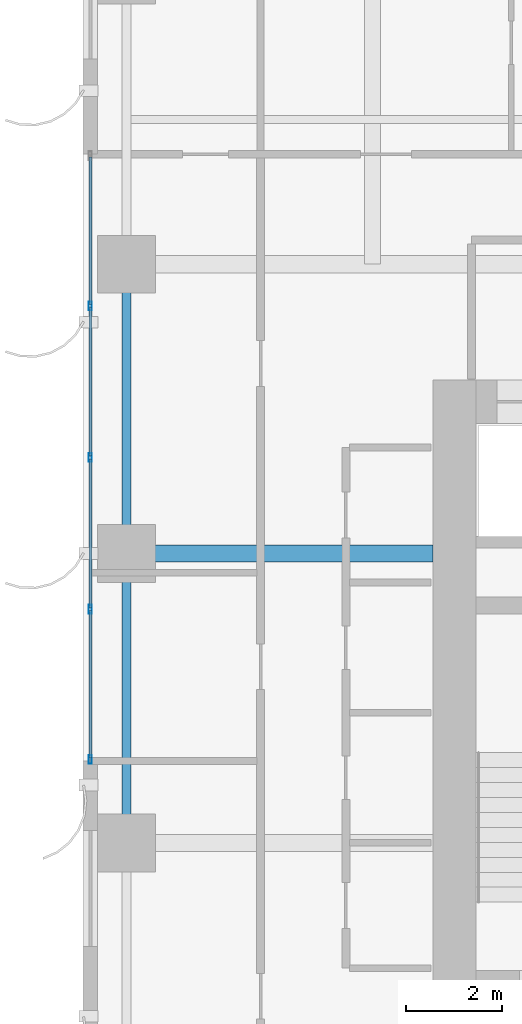
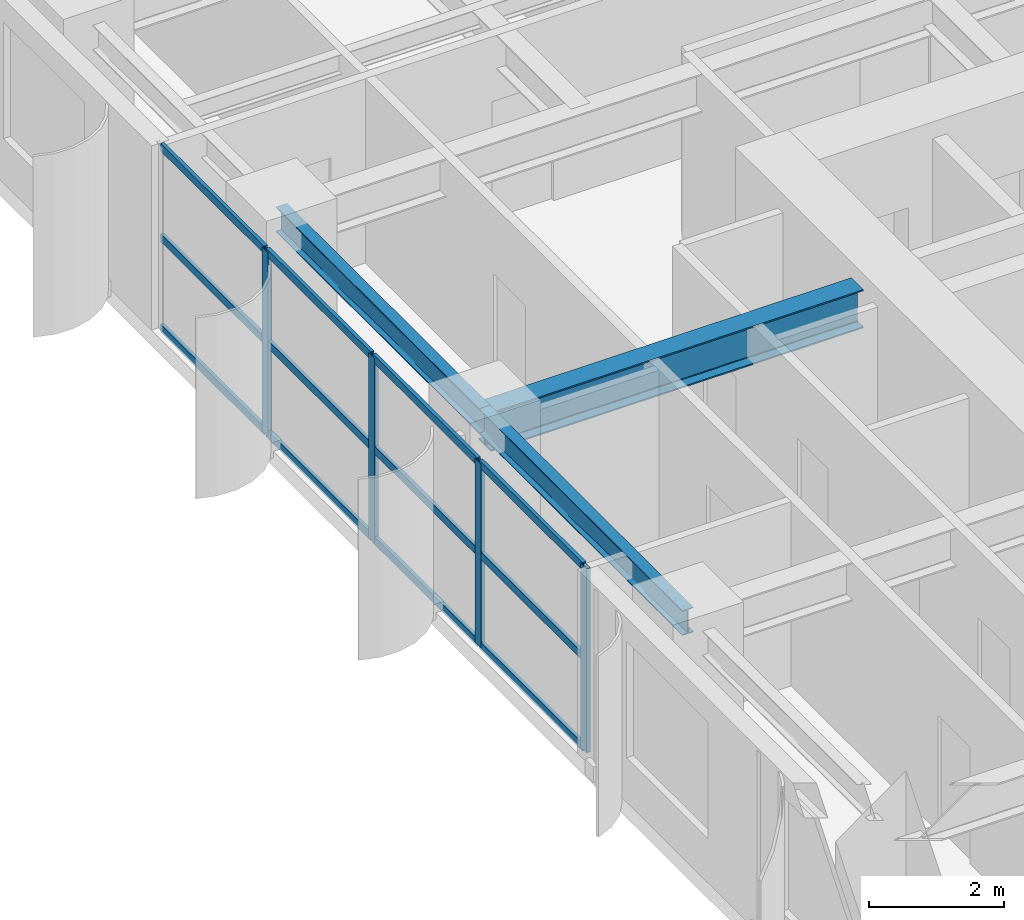
# One storey, part 2 of 17: 16 members, 3 beams, 1 element without a shape of its own.
"""IFC4 building model written with IfcOpenShell, lengths in metres."""

import ifcopenshell
import ifcopenshell.guid

model = None  # the IFC model being written
_history = None  # IfcOwnerHistory: only IFC2X3 demands one
_inside = {}  # id of a spatial element -> (the spatial element, [elements in it])
_under = {}  # id of a project, library or spatial element -> (it, [spatial elements below it])
_declared = {}  # id of a project -> (the project, [libraries it declares])
_typed = {}  # id of a type object -> (the type object, [elements of that type])
_made_of = {}  # id of a material, layer set ... -> (it, [elements and type objects made of it])


def new_model(schema):
    """Start an empty IFC model of exactly this schema.

    Asked for "IFC4X3", IfcOpenShell would pick the latest addendum, in which some entities
    have other attributes; the version numbers below select the first issue.
    IFC2X3 requires an IfcOwnerHistory on every rooted entity: one is made here for all.
    """
    global model, _history
    if schema == "IFC4X3":
        model = ifcopenshell.file(schema_version=(4, 3, 0, 0))
    else:
        model = ifcopenshell.file(schema=schema)
    _inside.clear()
    _under.clear()
    _declared.clear()
    _typed.clear()
    _made_of.clear()
    _history = None
    if model.schema == "IFC2X3":
        org = make("IfcOrganization", Name="unknown")
        user = make(
            "IfcPersonAndOrganization",
            ThePerson=make("IfcPerson", FamilyName="unknown"),
            TheOrganization=org,
        )
        app = make(
            "IfcApplication",
            ApplicationDeveloper=org,
            Version="unknown",
            ApplicationFullName="unknown",
            ApplicationIdentifier="unknown",
        )
        _history = make(
            "IfcOwnerHistory",
            OwningUser=user,
            OwningApplication=app,
            ChangeAction="ADDED",
            CreationDate=0,
        )
    return model


def make(cls, **values):
    """One entity of the class cls with the attributes given. An attribute that is None is left unset."""
    return model.create_entity(
        cls, **{name: value for name, value in values.items() if value is not None}
    )


def rooted(cls, **values):
    """An entity with a GlobalId (a new one), such as an element, a storey or a relation."""
    return make(cls, GlobalId=ifcopenshell.guid.new(), OwnerHistory=_history, **values)


def si_unit(unit_type, name, prefix=None):
    """IfcSIUnit, for example si_unit("LENGTHUNIT", "METRE", prefix="MILLI")."""
    return make("IfcSIUnit", UnitType=unit_type, Prefix=prefix, Name=name)


def assignment(units):
    """IfcUnitAssignment: the units of a project."""
    return None if units is None else make("IfcUnitAssignment", Units=units)


def point(xyz):
    """IfcCartesianPoint."""
    return None if xyz is None else make("IfcCartesianPoint", Coordinates=xyz)


def direction(xyz):
    """IfcDirection."""
    return None if xyz is None else make("IfcDirection", DirectionRatios=xyz)


def frame(location, z_axis=None, x_axis=None):
    """IfcAxis2Placement3D, a coordinate frame: its origin and axes. An axis left out is left unset."""
    return make(
        "IfcAxis2Placement3D",
        Location=point(location),
        Axis=direction(z_axis),
        RefDirection=direction(x_axis),
    )


def frame_2d(location, x_axis=None):
    """IfcAxis2Placement2D, a coordinate frame in the plane: its origin and x axis."""
    return make(
        "IfcAxis2Placement2D", Location=point(location), RefDirection=direction(x_axis)
    )


def origin():
    """The frame at (0, 0, 0) with its axes left unset."""
    return frame((0.0, 0.0, 0.0))


def origin_2d():
    """The frame at (0, 0) in the plane with its x axis left unset."""
    return frame_2d((0.0, 0.0))


def place(relative_to, where):
    """IfcLocalPlacement: puts the frame where relative to a parent placement (None: the world)."""
    return make(
        "IfcLocalPlacement", PlacementRelTo=relative_to, RelativePlacement=where
    )


def context(
    kind, dimensions, precision=None, world=None, true_north=None, identifier=None
):
    """IfcGeometricRepresentationContext, for example the 3D "Model" context."""
    return make(
        "IfcGeometricRepresentationContext",
        ContextIdentifier=identifier,
        ContextType=kind,
        CoordinateSpaceDimension=dimensions,
        Precision=precision,
        WorldCoordinateSystem=world,
        TrueNorth=true_north,
    )


def subcontext(parent, identifier, kind, view, scale=None):
    """IfcGeometricRepresentationSubContext, for example "Body" below "Model"."""
    return make(
        "IfcGeometricRepresentationSubContext",
        ContextIdentifier=identifier,
        ContextType=kind,
        ParentContext=parent,
        TargetScale=scale,
        TargetView=view,
    )


def project(units=None, contexts=None):
    """IfcProject with its units and contexts."""
    return rooted(
        "IfcProject",
        Name="project",
        RepresentationContexts=contexts,
        UnitsInContext=assignment(units),
    )


def spatial(cls, under=None, at=None, **own):
    """A site, building, storey or space (cls), placed at a placement, below another one or the project."""
    s = rooted(cls, ObjectPlacement=at, **own)
    if under is not None:
        _under.setdefault(under.id(), (under, []))[1].append(s)
    return s


def profile(cls, at=None, kind="AREA", **sizes):
    """A parametric profile (cls). Its sizes go by their IFC names, for example OverallWidth=200.0."""
    return make(cls, ProfileType=kind, Position=at, **sizes)


def hollow_rectangle(**sizes):
    """IfcRectangleHollowProfileDef."""
    return profile("IfcRectangleHollowProfileDef", **sizes)


def i_section(**sizes):
    """IfcIShapeProfileDef."""
    return profile("IfcIShapeProfileDef", **sizes)


def extrude(swept, where, along, depth):
    """IfcExtrudedAreaSolid: the profile swept, set in the frame where, extruded along a direction by depth."""
    return make(
        "IfcExtrudedAreaSolid",
        SweptArea=swept,
        Position=where,
        ExtrudedDirection=direction(along),
        Depth=depth,
    )


def shape(context_of_items, identifier, shape_type, items):
    """IfcShapeRepresentation: the items that make up one representation, for example the "Body"."""
    return make(
        "IfcShapeRepresentation",
        ContextOfItems=context_of_items,
        RepresentationIdentifier=identifier,
        RepresentationType=shape_type,
        Items=items,
    )


def source(mapping_origin, context_of_items, identifier, shape_type, items):
    """IfcRepresentationMap: a shape defined once, which mapped items show again and again."""
    return make(
        "IfcRepresentationMap",
        MappingOrigin=mapping_origin,
        MappedRepresentation=shape(context_of_items, identifier, shape_type, items),
    )


def transform(
    local_origin,
    x_axis=None,
    y_axis=None,
    z_axis=None,
    scale=None,
    scale2=None,
    scale3=None,
    uniform=True,
):
    """IfcCartesianTransformationOperator3D, or its non-uniform kind. x_axis, y_axis, z_axis: its Axis1, 2, 3."""
    if uniform:
        return make(
            "IfcCartesianTransformationOperator3D",
            Axis1=direction(x_axis),
            Axis2=direction(y_axis),
            LocalOrigin=point(local_origin),
            Scale=scale,
            Axis3=direction(z_axis),
        )
    return make(
        "IfcCartesianTransformationOperator3DnonUniform",
        Axis1=direction(x_axis),
        Axis2=direction(y_axis),
        LocalOrigin=point(local_origin),
        Scale=scale,
        Axis3=direction(z_axis),
        Scale2=scale2,
        Scale3=scale3,
    )


def mapped(mapping_source, mapping_target):
    """IfcMappedItem: shows the shape of a source again, moved by a transform."""
    return make(
        "IfcMappedItem", MappingSource=mapping_source, MappingTarget=mapping_target
    )


def material(Name=None, Category=None):
    """IfcMaterial."""
    return make("IfcMaterial", Name=Name, Category=Category)


def layer(
    of_material, thickness, ventilated=None, Name=None, Category=None, Priority=None
):
    """IfcMaterialLayer: one layer of a wall or slab, of a material (None: an air gap)."""
    return make(
        "IfcMaterialLayer",
        Material=of_material,
        LayerThickness=thickness,
        IsVentilated=ventilated,
        Name=Name,
        Category=Category,
        Priority=Priority,
    )


def layer_set(layers, Name=None):
    """IfcMaterialLayerSet."""
    return make("IfcMaterialLayerSet", MaterialLayers=layers, LayerSetName=Name)


def material_profile(
    of_material, cross_section, Name=None, Category=None, Priority=None
):
    """IfcMaterialProfile: a cross section and its material."""
    return make(
        "IfcMaterialProfile",
        Name=Name,
        Material=of_material,
        Profile=cross_section,
        Priority=Priority,
        Category=Category,
    )


def profile_set(profiles, Name=None, composite=None):
    """IfcMaterialProfileSet."""
    return make(
        "IfcMaterialProfileSet",
        Name=Name,
        MaterialProfiles=profiles,
        CompositeProfile=composite,
    )


def made_of(thing, what):
    """Note that an element or type object is made of a material, layer set ...; save() writes the relation."""
    if what is not None:
        _made_of.setdefault(what.id(), (what, []))[1].append(thing)
    return thing


def type_object(cls, material=None, **own):
    """A type object (cls), such as IfcWallType, which elements share."""
    return made_of(rooted(cls, **own), material)


def element(
    cls,
    number,
    at=None,
    inside=None,
    cuts=None,
    type_object=None,
    material=None,
    context=None,
    identifier="Body",
    shape_type=None,
    held_by="IfcProductDefinitionShape",
    body=None,
    shapes=None,
    **own,
):
    """One element of the class cls, such as IfcWall. Its Tag is "e" and its number.

    at: its placement. inside: the storey or other place that contains it. cuts: it is an
    opening in that element (IfcRelVoidsElement). A single representation is given by context,
    identifier, shape_type and body (its items); several are given by shapes. held_by: the class
    of the entity that holds the representations. save() writes the other relations.
    """
    e = rooted(cls, Tag="e%d" % number, ObjectPlacement=at, **own)
    if body is not None:
        shapes = [shape(context, identifier, shape_type, body)]
    if shapes is not None:
        e.Representation = make(held_by, Representations=shapes)
    if inside is not None:
        _inside.setdefault(inside.id(), (inside, []))[1].append(e)
    if cuts is not None:
        rooted(
            "IfcRelVoidsElement", RelatingBuildingElement=cuts, RelatedOpeningElement=e
        )
    if type_object is not None:
        _typed.setdefault(type_object.id(), (type_object, []))[1].append(e)
    return made_of(e, material)


def aggregate(whole, parts):
    """IfcRelAggregates: a whole, such as a stair, and the parts it consists of."""
    return rooted("IfcRelAggregates", RelatingObject=whole, RelatedObjects=parts)


def save(model, path):
    """Write the relations noted so far, then the file.

    IfcRelAggregates (storeys below a building ...), IfcRelContainedInSpatialStructure (elements
    in a storey), IfcRelDefinesByType, IfcRelAssociatesMaterial and IfcRelDeclares: one each for
    every whole, place, type object, material and project.
    """
    for whole, parts in _under.values():
        aggregate(whole, parts)
    for where, things in _inside.values():
        rooted(
            "IfcRelContainedInSpatialStructure",
            RelatedElements=things,
            RelatingStructure=where,
        )
    for kind, things in _typed.values():
        rooted("IfcRelDefinesByType", RelatedObjects=things, RelatingType=kind)
    for what, things in _made_of.values():
        rooted("IfcRelAssociatesMaterial", RelatedObjects=things, RelatingMaterial=what)
    for by, libraries in _declared.values():
        rooted("IfcRelDeclares", RelatingContext=by, RelatedDefinitions=libraries)
    model.write(path)


model = new_model("IFC4")

# Units and contexts
model_context = context("Model", 3, precision=1e-05, world=origin(), true_north=direction((0.0, 1.0)))
body_context = subcontext(model_context, "Body", "Model", "MODEL_VIEW")
ifc_project = project(units=[si_unit("LENGTHUNIT", "METRE"), si_unit("AREAUNIT", "SQUARE_METRE"), si_unit("VOLUMEUNIT", "CUBIC_METRE"), si_unit("PLANEANGLEUNIT", "RADIAN"), si_unit("MASSUNIT", "GRAM", prefix="KILO")], contexts=[model_context])

# Site, building, storey
site_placement = place(None, origin())
site = spatial("IfcSite", under=ifc_project, at=site_placement, CompositionType="ELEMENT")
building_placement = place(site_placement, origin())
building = spatial("IfcBuilding", under=site, at=building_placement, Name="Khoralis Quay Care Tower", CompositionType="ELEMENT")
storey_placement = place(building_placement, frame((0.0, 0.0, 58.5)))
storey = spatial("IfcBuildingStorey", under=building, at=storey_placement, Name="L15", CompositionType="ELEMENT", Elevation=58.5)

# Beams
ifc_material_1 = material(Name="Steel S355", Category="steel")
ifc_material_profile_1 = material_profile(ifc_material_1, i_section(OverallWidth=0.18994140625, OverallDepth=0.449951171875, WebThickness=0.009521484375, FlangeThickness=0.0146484375, FilletRadius=0.02099609375, at=origin_2d()), Name="Steel S355")
ifc_profile_set_1 = profile_set([ifc_material_profile_1], Name="Steel S355")
beam_type_1 = type_object("IfcBeamType", Name="BM-IPE450", PredefinedType="SPANDREL", material=ifc_profile_set_1)
shared_shape_1 = source(origin(), body_context, "Body", "SweptSolid", [
    extrude(i_section(OverallWidth=0.18994140625, OverallDepth=0.449951171875, WebThickness=0.009521484375, FlangeThickness=0.0146484375, FilletRadius=0.02099609375, at=origin_2d()), origin(), (0.0, 0.0, 1.0), 6.0),
])
for number, where, z_axis, x_axis, name in (
    (1, (0.89990234375, 18.0, 3.094970703125), (0.0, 1.0, 0.0), (-1.0, 0.0, 0.0), "BM-TSP-L15-15"),
    (2, (0.89990234375, 24.0, 3.094970703125), (0.0, 1.0, 0.0), (-1.0, 0.0, 0.0), "BM-TSP-L15-16"),
):
    element("IfcBeam", number, at=place(storey_placement, frame(where, z_axis=z_axis, x_axis=x_axis)), inside=storey, type_object=beam_type_1, Name=name, PredefinedType="SPANDREL", context=body_context, shape_type="MappedRepresentation", body=[
        mapped(shared_shape_1, transform((0.0, 0.0, 0.0), scale=1.0)),
    ])
ifc_material_profile_2 = material_profile(ifc_material_1, i_section(OverallWidth=0.35498046875, OverallDepth=0.695068359375, WebThickness=0.015380859375, FlangeThickness=0.02490234375, FilletRadius=0.02001953125, at=origin_2d()), Name="Steel S355")
ifc_profile_set_2 = profile_set([ifc_material_profile_2], Name="Steel S355")
beam_type_2 = type_object("IfcBeamType", Name="BM-W690X217", PredefinedType="BEAM", material=ifc_profile_set_2)
shared_shape_2 = source(origin(), body_context, "Body", "SweptSolid", [
    extrude(i_section(OverallWidth=0.35498046875, OverallDepth=0.695068359375, WebThickness=0.015380859375, FlangeThickness=0.02490234375, FilletRadius=0.02001953125, at=origin_2d()), origin(), (0.0, 0.0, 1.0), 6.35205078125),
])
beam_placement = place(storey_placement, frame((0.89990234375, 24.0, 2.972412109375), z_axis=(1.0, 0.0, 0.0), x_axis=(0.0, 1.0, 0.0)))
element("IfcBeam", 3, at=beam_placement, inside=storey, type_object=beam_type_2, Name="BM-TGXW-L15-240", PredefinedType="BEAM", context=body_context, shape_type="MappedRepresentation", body=[
    mapped(shared_shape_2, transform((0.0, 0.0, 0.0), scale=1.0)),
])

# Curtain wall, members
ifc_material_2 = material(Name="Pale anodised aluminium", Category="aluminium")
ifc_layer = layer(ifc_material_2, 0.179931640625)
ifc_layer_set = layer_set([ifc_layer], Name="Pale anodised aluminium")
curtain_wall_type = type_object("IfcCurtainWallType", Name="CW-SYS-Z1", PredefinedType="NOTDEFINED", material=ifc_layer_set)
curtain_wall_placement = place(storey_placement, origin())
curtain_wall = element("IfcCurtainWall", 4, at=curtain_wall_placement, inside=storey, type_object=curtain_wall_type, Name="L15 Unitised Curtain Wall CW-L15-P1-E15", PredefinedType="NOTDEFINED")
ifc_material_profile_3 = material_profile(ifc_material_2, hollow_rectangle(XDim=0.06494140625, YDim=0.179931640625, WallThickness=0.00390625, at=origin_2d()), Name="Pale anodised aluminium")
ifc_profile_set_3 = profile_set([ifc_material_profile_3], Name="Pale anodised aluminium")
member_type_1 = type_object("IfcMemberType", Name="CW-MUL-180", PredefinedType="MULLION", material=ifc_profile_set_3)
shared_shape_3 = source(origin(), body_context, "Body", "SweptSolid", [
    extrude(hollow_rectangle(XDim=0.06494140625, YDim=0.179931640625, WallThickness=0.00390625, at=origin_2d()), origin(), (0.0, 0.0, 1.0), 3.320068359375),
])
member_1_placement = place(storey_placement, frame((0.14990234375, 29.135009765625, 0.0), z_axis=(0.0, 0.0, 1.0), x_axis=(1.0, 0.0, 0.0)))
member_1 = element("IfcMember", 5, at=member_1_placement, type_object=member_type_1, Name="CW1 mullion 2", PredefinedType="MULLION", context=body_context, shape_type="MappedRepresentation", body=[
    mapped(shared_shape_3, transform((0.0, 0.0, 0.0), scale=1.0)),
])
member_2_placement = place(storey_placement, frame((0.14990234375, 25.989990234375, 0.0), z_axis=(0.0, 0.0, 1.0), x_axis=(1.0, 0.0, 0.0)))
member_2 = element("IfcMember", 6, at=member_2_placement, type_object=member_type_1, Name="CW1 mullion 3", PredefinedType="MULLION", context=body_context, shape_type="MappedRepresentation", body=[
    mapped(shared_shape_3, transform((0.0, 0.0, 0.0), scale=1.0)),
])
member_3_placement = place(storey_placement, frame((0.14990234375, 22.844970703125, 0.0), z_axis=(0.0, 0.0, 1.0), x_axis=(1.0, 0.0, 0.0)))
member_3 = element("IfcMember", 7, at=member_3_placement, type_object=member_type_1, Name="CW1 mullion 4", PredefinedType="MULLION", context=body_context, shape_type="MappedRepresentation", body=[
    mapped(shared_shape_3, transform((0.0, 0.0, 0.0), scale=1.0)),
])
member_4_placement = place(storey_placement, frame((0.14990234375, 19.72998046875, 0.0), z_axis=(0.0, 0.0, 1.0), x_axis=(1.0, 0.0, 0.0)))
member_4 = element("IfcMember", 8, at=member_4_placement, type_object=member_type_1, Name="CW1 mullion 5", PredefinedType="MULLION", context=body_context, shape_type="MappedRepresentation", body=[
    mapped(shared_shape_3, transform((0.0, 0.0, 0.0), scale=1.0)),
])
ifc_material_profile_4 = material_profile(ifc_material_2, hollow_rectangle(XDim=0.06005859375, YDim=0.139892578125, WallThickness=0.00390625, at=origin_2d()), Name="Pale anodised aluminium")
ifc_profile_set_4 = profile_set([ifc_material_profile_4], Name="Pale anodised aluminium")
member_type_2 = type_object("IfcMemberType", Name="CW-TRN-140", PredefinedType="USERDEFINED", material=ifc_profile_set_4)
shared_shape_4 = source(origin(), body_context, "Body", "SweptSolid", [
    extrude(hollow_rectangle(XDim=0.06005859375, YDim=0.139892578125, WallThickness=0.00390625, at=origin_2d()), origin(), (0.0, 0.0, 1.0), 3.054931640625),
])
member_5_placement = place(storey_placement, frame((0.14990234375, 32.219970703125, 0.030029296875), z_axis=(0.0, -1.0, 0.0), x_axis=(1.0, 0.0, 0.0)))
member_5 = element("IfcMember", 9, at=member_5_placement, type_object=member_type_2, Name="CW1 transom 1.1", ObjectType="TRANSOM", PredefinedType="USERDEFINED", context=body_context, shape_type="MappedRepresentation", body=[
    mapped(shared_shape_4, transform((0.0, 0.0, 0.0), scale=1.0)),
])
member_6_placement = place(storey_placement, frame((0.14990234375, 32.219970703125, 1.659912109375), z_axis=(0.0, -1.0, 0.0), x_axis=(1.0, 0.0, 0.0)))
member_6 = element("IfcMember", 10, at=member_6_placement, type_object=member_type_2, Name="CW1 transom 1.2", ObjectType="TRANSOM", PredefinedType="USERDEFINED", context=body_context, shape_type="MappedRepresentation", body=[
    mapped(shared_shape_4, transform((0.0, 0.0, 0.0), scale=1.0)),
])
member_7_placement = place(storey_placement, frame((0.14990234375, 32.219970703125, 3.2900390625), z_axis=(0.0, -1.0, 0.0), x_axis=(1.0, 0.0, 0.0)))
member_7 = element("IfcMember", 11, at=member_7_placement, type_object=member_type_2, Name="CW1 transom 1.3", ObjectType="TRANSOM", PredefinedType="USERDEFINED", context=body_context, shape_type="MappedRepresentation", body=[
    mapped(shared_shape_4, transform((0.0, 0.0, 0.0), scale=1.0)),
])
member_8_placement = place(storey_placement, frame((0.14990234375, 22.81494140625, 0.030029296875), z_axis=(0.0, -1.0, 0.0), x_axis=(1.0, 0.0, 0.0)))
member_8 = element("IfcMember", 12, at=member_8_placement, type_object=member_type_2, Name="CW1 transom 4.1", ObjectType="TRANSOM", PredefinedType="USERDEFINED", context=body_context, shape_type="MappedRepresentation", body=[
    mapped(shared_shape_4, transform((0.0, 0.0, 0.0), scale=1.0)),
])
member_9_placement = place(storey_placement, frame((0.14990234375, 22.81494140625, 1.659912109375), z_axis=(0.0, -1.0, 0.0), x_axis=(1.0, 0.0, 0.0)))
member_9 = element("IfcMember", 13, at=member_9_placement, type_object=member_type_2, Name="CW1 transom 4.2", ObjectType="TRANSOM", PredefinedType="USERDEFINED", context=body_context, shape_type="MappedRepresentation", body=[
    mapped(shared_shape_4, transform((0.0, 0.0, 0.0), scale=1.0)),
])
member_10_placement = place(storey_placement, frame((0.14990234375, 22.81494140625, 3.2900390625), z_axis=(0.0, -1.0, 0.0), x_axis=(1.0, 0.0, 0.0)))
member_10 = element("IfcMember", 14, at=member_10_placement, type_object=member_type_2, Name="CW1 transom 4.3", ObjectType="TRANSOM", PredefinedType="USERDEFINED", context=body_context, shape_type="MappedRepresentation", body=[
    mapped(shared_shape_4, transform((0.0, 0.0, 0.0), scale=1.0)),
])
shared_shape_5 = source(origin(), body_context, "Body", "SweptSolid", [
    extrude(hollow_rectangle(XDim=0.06005859375, YDim=0.139892578125, WallThickness=0.00390625, at=origin_2d()), origin(), (0.0, 0.0, 1.0), 3.0849609375),
])
member_11_placement = place(storey_placement, frame((0.14990234375, 29.10498046875, 0.030029296875), z_axis=(0.0, -1.0, 0.0), x_axis=(1.0, 0.0, 0.0)))
member_11 = element("IfcMember", 15, at=member_11_placement, type_object=member_type_2, Name="CW1 transom 2.1", ObjectType="TRANSOM", PredefinedType="USERDEFINED", context=body_context, shape_type="MappedRepresentation", body=[
    mapped(shared_shape_5, transform((0.0, 0.0, 0.0), scale=1.0)),
])
member_12_placement = place(storey_placement, frame((0.14990234375, 29.10498046875, 1.659912109375), z_axis=(0.0, -1.0, 0.0), x_axis=(1.0, 0.0, 0.0)))
member_12 = element("IfcMember", 16, at=member_12_placement, type_object=member_type_2, Name="CW1 transom 2.2", ObjectType="TRANSOM", PredefinedType="USERDEFINED", context=body_context, shape_type="MappedRepresentation", body=[
    mapped(shared_shape_5, transform((0.0, 0.0, 0.0), scale=1.0)),
])
member_13_placement = place(storey_placement, frame((0.14990234375, 29.10498046875, 3.2900390625), z_axis=(0.0, -1.0, 0.0), x_axis=(1.0, 0.0, 0.0)))
member_13 = element("IfcMember", 17, at=member_13_placement, type_object=member_type_2, Name="CW1 transom 2.3", ObjectType="TRANSOM", PredefinedType="USERDEFINED", context=body_context, shape_type="MappedRepresentation", body=[
    mapped(shared_shape_5, transform((0.0, 0.0, 0.0), scale=1.0)),
])
member_14_placement = place(storey_placement, frame((0.14990234375, 25.9599609375, 0.030029296875), z_axis=(0.0, -1.0, 0.0), x_axis=(1.0, 0.0, 0.0)))
member_14 = element("IfcMember", 18, at=member_14_placement, type_object=member_type_2, Name="CW1 transom 3.1", ObjectType="TRANSOM", PredefinedType="USERDEFINED", context=body_context, shape_type="MappedRepresentation", body=[
    mapped(shared_shape_5, transform((0.0, 0.0, 0.0), scale=1.0)),
])
member_15_placement = place(storey_placement, frame((0.14990234375, 25.9599609375, 1.659912109375), z_axis=(0.0, -1.0, 0.0), x_axis=(1.0, 0.0, 0.0)))
member_15 = element("IfcMember", 19, at=member_15_placement, type_object=member_type_2, Name="CW1 transom 3.2", ObjectType="TRANSOM", PredefinedType="USERDEFINED", context=body_context, shape_type="MappedRepresentation", body=[
    mapped(shared_shape_5, transform((0.0, 0.0, 0.0), scale=1.0)),
])
member_16_placement = place(storey_placement, frame((0.14990234375, 25.9599609375, 3.2900390625), z_axis=(0.0, -1.0, 0.0), x_axis=(1.0, 0.0, 0.0)))
member_16 = element("IfcMember", 20, at=member_16_placement, type_object=member_type_2, Name="CW1 transom 3.3", ObjectType="TRANSOM", PredefinedType="USERDEFINED", context=body_context, shape_type="MappedRepresentation", body=[
    mapped(shared_shape_5, transform((0.0, 0.0, 0.0), scale=1.0)),
])
aggregate(curtain_wall, [member_1, member_2, member_3, member_4, member_5, member_6, member_7, member_11, member_12, member_13, member_14, member_15, member_16, member_8, member_9, member_10])

save(model, "model.ifc")
